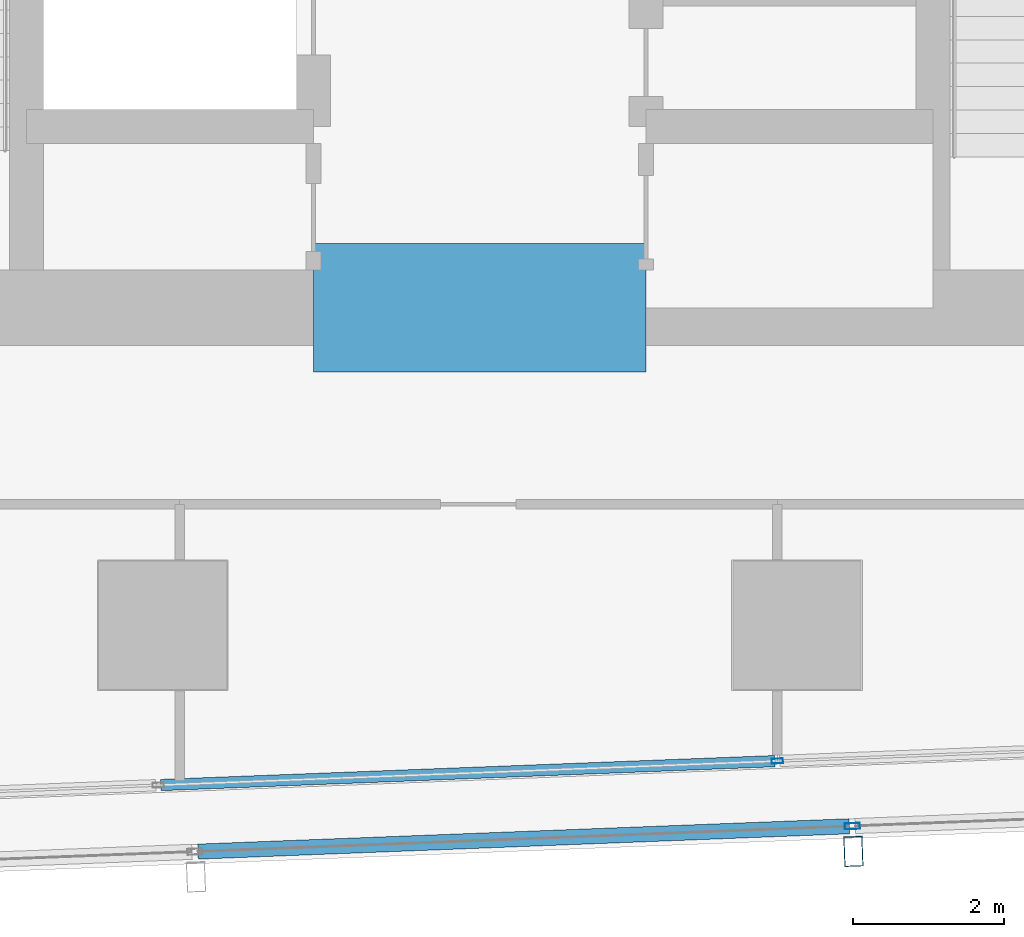
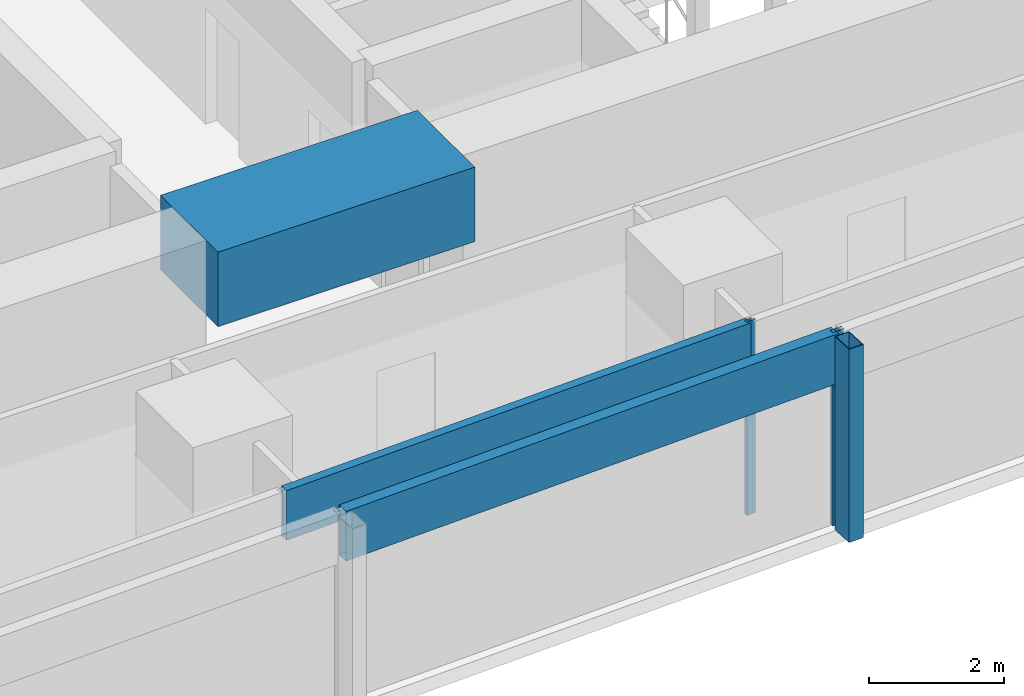
# One storey, part 9 of 40: 5 members, 1 beam, 2 elements without a shape of their own.
"""IFC4 building model written with IfcOpenShell, lengths in metres."""

from ifc_helpers import new_model, si_unit, direction, frame, origin, origin_2d, place, context, subcontext, project, spatial, rectangle, hollow_rectangle, extrude, material, material_profile, profile_set, type_object, element, aggregate, save


model = new_model("IFC4")

# Units and contexts
model_context = context("Model", 3, precision=1e-05, world=origin(), true_north=direction((0.0, 1.0)))
body_context = subcontext(model_context, "Body", "Model", "MODEL_VIEW")
ifc_project = project(units=[si_unit("LENGTHUNIT", "METRE"), si_unit("AREAUNIT", "SQUARE_METRE"), si_unit("VOLUMEUNIT", "CUBIC_METRE"), si_unit("PLANEANGLEUNIT", "RADIAN"), si_unit("MASSUNIT", "GRAM", prefix="KILO")], contexts=[model_context])

# Site, building, storey
site_placement = place(None, origin())
site = spatial("IfcSite", under=ifc_project, at=site_placement, CompositionType="ELEMENT")
building_placement = place(site_placement, origin())
building = spatial("IfcBuilding", under=site, at=building_placement, Name="Rekha Terrace Tower", CompositionType="ELEMENT")
storey_placement = place(building_placement, frame((0.0, 0.0, 117.800048828125)))
storey = spatial("IfcBuildingStorey", under=building, at=storey_placement, Name="L29", CompositionType="ELEMENT", Elevation=117.800048828125)

# Curtain wall, member
ifc_material_1 = material(Name="Aluminium framing", Category="aluminium")
curtain_wall_type_1 = type_object("IfcCurtainWallType", Name="CW2 double skin outer glazing", PredefinedType="USERDEFINED", material=ifc_material_1)
curtain_wall_1_placement = place(storey_placement, origin())
curtain_wall_1 = element("IfcCurtainWall", 1, at=curtain_wall_1_placement, inside=storey, type_object=curtain_wall_type_1, Name="CW2 double skin outer glazing", ObjectType="DOUBLE SKIN OUTER GLAZING", PredefinedType="USERDEFINED")
ifc_material_2 = material(Name="Steel S355 with fluorocarbon finish", Category="steel")
ifc_material_profile_1 = material_profile(ifc_material_2, hollow_rectangle(XDim=0.25, YDim=0.39990234375, WallThickness=0.012451171875, at=origin_2d()), Name="RHS400x250x12.5")
ifc_profile_set_1 = profile_set([ifc_material_profile_1], Name="Steel S355 with fluorocarbon finish")
member_type_1 = type_object("IfcMemberType", Name="BL1 facade blade RHS 400 x 250", PredefinedType="USERDEFINED", material=ifc_profile_set_1)
member_1_placement = place(storey_placement, frame((42.747314453125, 13.802978515625, 0.0), z_axis=(0.0, 0.0, 1.0), x_axis=(0.999243494356, 0.038890088543, 0.0)))
member_1 = element("IfcMember", 2, at=member_1_placement, type_object=member_type_1, Name="Facade blade", ObjectType="FACADE BLADE", PredefinedType="USERDEFINED", context=body_context, shape_type="SweptSolid", body=[
    extrude(hollow_rectangle(XDim=0.25, YDim=0.39990234375, WallThickness=0.012451171875, at=origin_2d()), origin(), (0.0, 0.0, 1.0), 3.5),
])

# Curtain wall, members
curtain_wall_type_2 = type_object("IfcCurtainWallType", Name="CW1 double skin inner glazing", PredefinedType="USERDEFINED", material=ifc_material_1)
curtain_wall_2_placement = place(storey_placement, origin())
curtain_wall_2 = element("IfcCurtainWall", 3, at=curtain_wall_2_placement, inside=storey, type_object=curtain_wall_type_2, Name="CW1 double skin inner glazing", ObjectType="DOUBLE SKIN INNER GLAZING", PredefinedType="USERDEFINED")
ifc_material_3 = material(Name="Aluminium mullion section", Category="aluminium")
ifc_material_profile_2 = material_profile(ifc_material_3, hollow_rectangle(XDim=0.06494140625, YDim=0.14990234375, WallThickness=0.00390625, at=origin_2d()), Name="AL RHS 65x150")
ifc_profile_set_2 = profile_set([ifc_material_profile_2], Name="Aluminium mullion section")
member_type_2 = type_object("IfcMemberType", Name="CW1 mullion RHS 65 x 150", PredefinedType="MULLION", material=ifc_profile_set_2)
member_2_placement = place(storey_placement, frame((41.740234375, 14.999755859375, 0.0), z_axis=(0.0, 0.0, 1.0), x_axis=(-0.038889971345, 0.999243498917, 0.0)))
member_2 = element("IfcMember", 4, at=member_2_placement, type_object=member_type_2, Name="CW1 mullion 3", PredefinedType="MULLION", context=body_context, shape_type="SweptSolid", body=[
    extrude(hollow_rectangle(XDim=0.06494140625, YDim=0.14990234375, WallThickness=0.00390625, at=origin_2d()), origin(), (0.0, 0.0, 1.0), 3.5),
])
ifc_material_4 = material(Name="Insulated aluminium spandrel box", Category="aluminium")
ifc_material_profile_3 = material_profile(ifc_material_4, hollow_rectangle(XDim=0.14990234375, YDim=0.89990234375, WallThickness=0.0029296875, at=origin_2d()), Name="AL SPANDREL BOX 150x900")
ifc_profile_set_3 = profile_set([ifc_material_profile_3], Name="Insulated aluminium spandrel box")
member_type_3 = type_object("IfcMemberType", Name="CW1 spandrel transom 150 x 900", PredefinedType="USERDEFINED", material=ifc_profile_set_3)
member_3_placement = place(storey_placement, frame((33.576416015625, 14.68212890625, 3.050048828125), z_axis=(0.999243790362, 0.038882482205, 0.0), x_axis=(-0.038882482205, 0.999243790362, 0.0)))
member_3 = element("IfcMember", 5, at=member_3_placement, type_object=member_type_3, Name="CW1 spandrel transom 2", ObjectType="TRANSOM", PredefinedType="USERDEFINED", context=body_context, shape_type="SweptSolid", body=[
    extrude(hollow_rectangle(XDim=0.14990234375, YDim=0.89990234375, WallThickness=0.0029296875, at=origin_2d()), origin(), (0.0, 0.0, 1.0), 8.137451171875),
])
aggregate(curtain_wall_2, [member_2, member_3])

# Member
ifc_material_profile_4 = material_profile(ifc_material_3, hollow_rectangle(XDim=0.080078125, YDim=0.199951171875, WallThickness=0.00390625, at=origin_2d()), Name="AL RHS 80x200")
ifc_profile_set_4 = profile_set([ifc_material_profile_4], Name="Aluminium mullion section")
member_type_4 = type_object("IfcMemberType", Name="CW2 mullion RHS 80 x 200", PredefinedType="MULLION", material=ifc_profile_set_4)
member_4_placement = place(storey_placement, frame((42.734130859375, 14.137939453125, 0.0), z_axis=(0.0, 0.0, 1.0), x_axis=(-0.038889971345, 0.999243498917, 0.0)))
member_4 = element("IfcMember", 6, at=member_4_placement, type_object=member_type_4, Name="CW2 mullion 3", PredefinedType="MULLION", context=body_context, shape_type="SweptSolid", body=[
    extrude(hollow_rectangle(XDim=0.080078125, YDim=0.199951171875, WallThickness=0.00390625, at=origin_2d()), origin(), (0.0, 0.0, 1.0), 3.5),
])

ifc_material_profile_5 = material_profile(ifc_material_4, hollow_rectangle(XDim=0.199951171875, YDim=0.89990234375, WallThickness=0.0029296875, at=origin_2d()), Name="AL SPANDREL BOX 200x900")
ifc_profile_set_5 = profile_set([ifc_material_profile_5], Name="Insulated aluminium spandrel box")
member_type_5 = type_object("IfcMemberType", Name="CW2 spandrel transom 200 x 900", PredefinedType="USERDEFINED", material=ifc_profile_set_5)
member_5_placement = place(storey_placement, frame((34.069091796875, 13.800537109375, 3.050048828125), z_axis=(0.999243438523, 0.038891523097, 0.0), x_axis=(-0.038891523097, 0.999243438523, 0.0)))
member_5 = element("IfcMember", 7, at=member_5_placement, type_object=member_type_5, Name="CW2 spandrel transom 2", ObjectType="TRANSOM", PredefinedType="USERDEFINED", context=body_context, shape_type="SweptSolid", body=[
    extrude(hollow_rectangle(XDim=0.199951171875, YDim=0.89990234375, WallThickness=0.0029296875, at=origin_2d()), origin(), (0.0, 0.0, 1.0), 8.631591796875),
])

aggregate(curtain_wall_1, [member_4, member_5, member_1])

# Beam
ifc_material_5 = material(Name="Concrete M70", Category="concrete")
ifc_material_profile_6 = material_profile(ifc_material_5, rectangle(XDim=1.699951171875, YDim=1.35009765625, at=origin_2d()), Name="RC 1700x1350")
ifc_profile_set_6 = profile_set([ifc_material_profile_6], Name="Concrete M70")
beam_type = type_object("IfcBeamType", Name="LB2A 1700x1350 diagonally reinforced coupling beam", PredefinedType="LINTEL", material=ifc_profile_set_6)
beam_placement = place(storey_placement, frame((35.60009765625, 21.0, 3.074951171875), z_axis=(1.0, 0.0, 0.0), x_axis=(0.0, 1.0, 0.0)))
element("IfcBeam", 8, at=beam_placement, inside=storey, type_object=beam_type, Name="Coupling beam LB2A S L29", PredefinedType="LINTEL", context=body_context, shape_type="SweptSolid", body=[
    extrude(rectangle(XDim=1.699951171875, YDim=1.35009765625, at=origin_2d()), origin(), (0.0, 0.0, 1.0), 4.39990234375),
])

save(model, "model.ifc")
